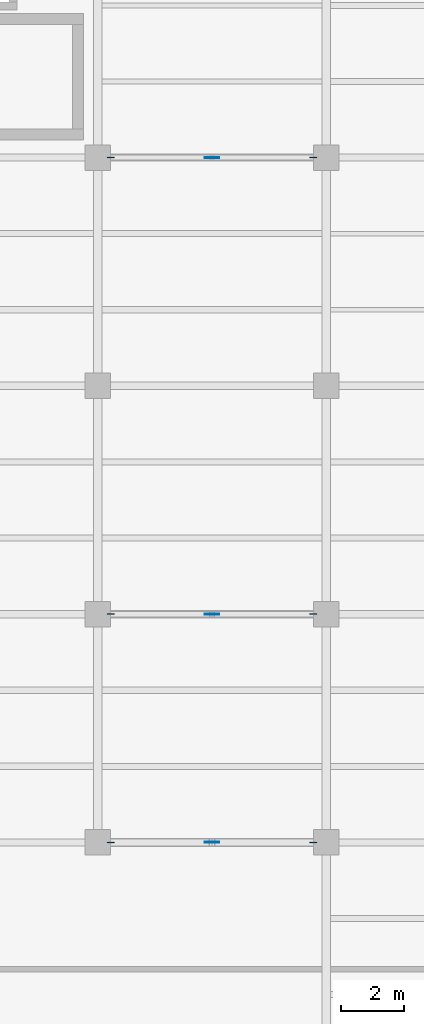
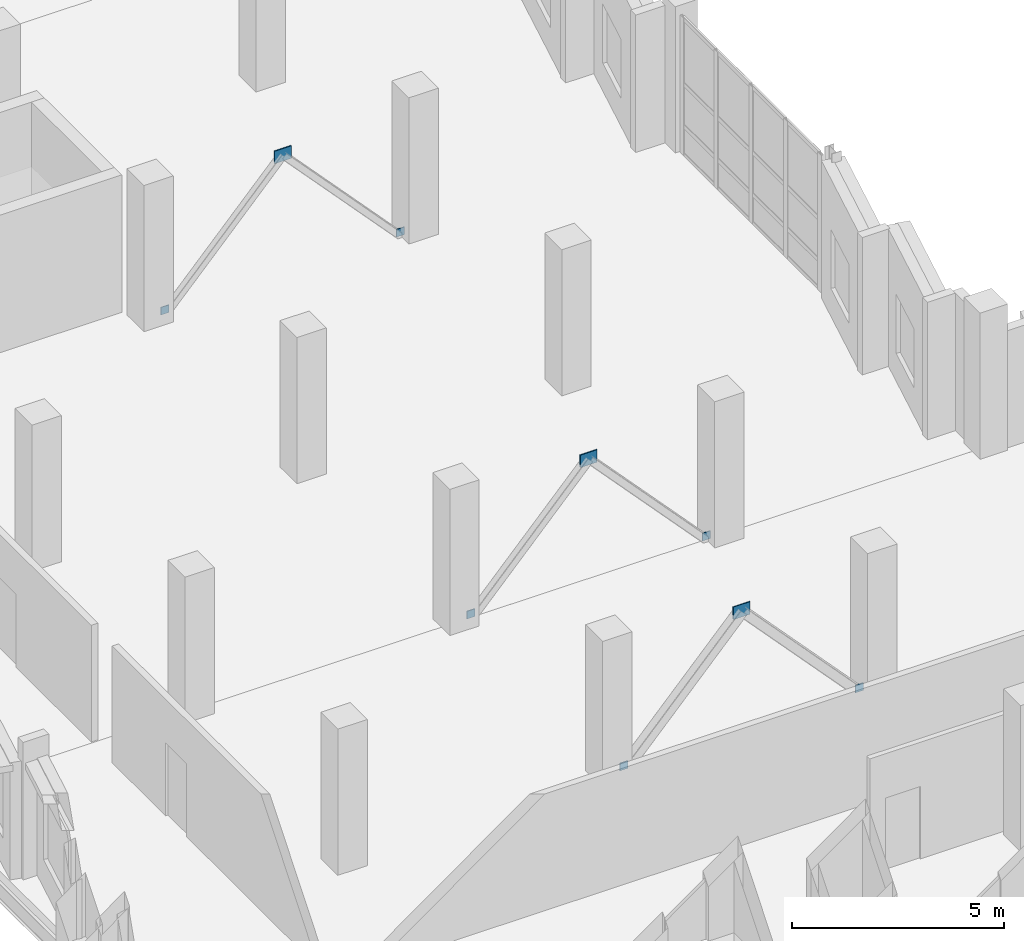
# One storey, part 63 of 94: 9 plates.
"""IFC4 building model written with IfcOpenShell, lengths in metres."""

from ifc_helpers import new_model, si_unit, direction, frame, origin, origin_2d, place, context, subcontext, project, spatial, rectangle, extrude, material, layer, layer_set, type_object, element, save


model = new_model("IFC4")

# Units and contexts
model_context = context("Model", 3, precision=1e-05, world=origin(), true_north=direction((0.0, 1.0)))
body_context = subcontext(model_context, "Body", "Model", "MODEL_VIEW")
ifc_project = project(units=[si_unit("LENGTHUNIT", "METRE"), si_unit("AREAUNIT", "SQUARE_METRE"), si_unit("VOLUMEUNIT", "CUBIC_METRE"), si_unit("PLANEANGLEUNIT", "RADIAN"), si_unit("MASSUNIT", "GRAM", prefix="KILO")], contexts=[model_context])

# Site, building, storey
site_placement = place(None, origin())
site = spatial("IfcSite", under=ifc_project, at=site_placement, CompositionType="ELEMENT")
building_placement = place(site_placement, origin())
building = spatial("IfcBuilding", under=site, at=building_placement, Name="Kalmorath City Hall", CompositionType="ELEMENT")
storey_placement = place(building_placement, frame((0.0, 0.0, 14.699951171875)))
storey = spatial("IfcBuildingStorey", under=building, at=storey_placement, Name="L03", CompositionType="ELEMENT", Elevation=14.699951171875)

# Plates
ifc_material_1 = material(Name="Steel ASTM A572 Grade 50", Category="steel")
ifc_layer_1 = layer(ifc_material_1, 0.02001953125)
ifc_layer_set_1 = layer_set([ifc_layer_1], Name="Steel ASTM A572 Grade 50")
plate_type_1 = type_object("IfcPlateType", Name="Steel HSS end-cap plate 220x220x20", PredefinedType="SHEET", material=ifc_layer_set_1)
for number, where, z_axis, x_axis, name in (
    (1, (14.800048828125, 28.800048828125, 0.0), (0.0, 0.0, 1.0), (1.0, 0.0, 0.0), "L03 brace foot end-plate GP5-5L"),
    (2, (21.199951171875, 28.800048828125, 0.0), (0.0, 0.0, 1.0), (1.0, 0.0, 0.0), "L03 brace foot end-plate GP5-5R"),
    (3, (14.800048828125, 36.0, 0.0), (0.0, 0.0, 1.0), (1.0, 0.0, 0.0), "L03 brace foot end-plate GP5-13L"),
    (4, (21.199951171875, 36.0, 0.0), (0.0, 0.0, 1.0), (1.0, 0.0, 0.0), "L03 brace foot end-plate GP5-13R"),
    (5, (14.800048828125, 50.39990234375, 0.0), (0.0, 0.0, 1.0), (1.0, 0.0, 0.0), "L03 brace foot end-plate GP5-20L"),
    (6, (21.199951171875, 50.39990234375, 0.0), (0.0, 0.0, 1.0), (1.0, 0.0, 0.0), "L03 brace foot end-plate GP5-20R"),
):
    element("IfcPlate", number, at=place(storey_placement, frame(where, z_axis=z_axis, x_axis=x_axis)), inside=storey, type_object=plate_type_1, Name=name, PredefinedType="SHEET", context=body_context, shape_type="SweptSolid", body=[
        extrude(rectangle(XDim=0.219970703125, YDim=0.02001953125, at=origin_2d()), origin(), (0.0, 0.0, 1.0), 0.219970703125),
    ])
ifc_material_2 = material(Name="Steel ASTM A572 Grade 50", Category="steel")
ifc_layer_2 = layer(ifc_material_2, 0.028076171875)
ifc_layer_set_2 = layer_set([ifc_layer_2], Name="Steel ASTM A572 Grade 50")
plate_type_2 = type_object("IfcPlateType", Name="Steel truss node gusset plate 460x360x28", PredefinedType="USERDEFINED", material=ifc_layer_set_2)
for number, where, z_axis, x_axis, name in (
    (7, (18.0, 28.800048828125, 3.27001953125), (0.0, 0.0, 1.0), (1.0, 0.0, 0.0), "L03 brace gusset plate GP3-5"),
    (8, (18.0, 36.0, 3.27001953125), (0.0, 0.0, 1.0), (1.0, 0.0, 0.0), "L03 brace gusset plate GP3-13"),
    (9, (18.0, 50.39990234375, 3.27001953125), (0.0, 0.0, 1.0), (1.0, 0.0, 0.0), "L03 brace gusset plate GP3-20"),
):
    element("IfcPlate", number, at=place(storey_placement, frame(where, z_axis=z_axis, x_axis=x_axis)), inside=storey, type_object=plate_type_2, Name=name, ObjectType="GUSSET PLATE", PredefinedType="USERDEFINED", context=body_context, shape_type="SweptSolid", body=[
        extrude(rectangle(XDim=0.4599609375, YDim=0.028076171875, at=origin_2d()), origin(), (0.0, 0.0, 1.0), 0.360107421875),
    ])

save(model, "model.ifc")
